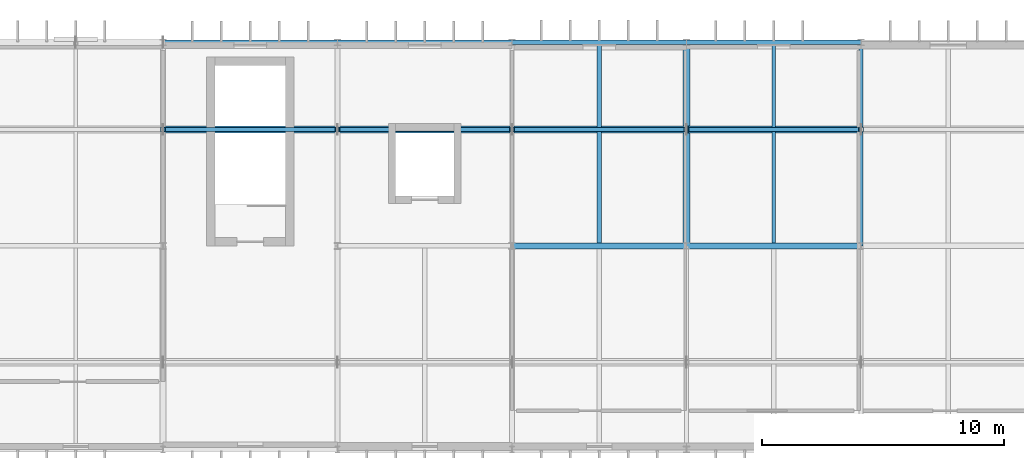
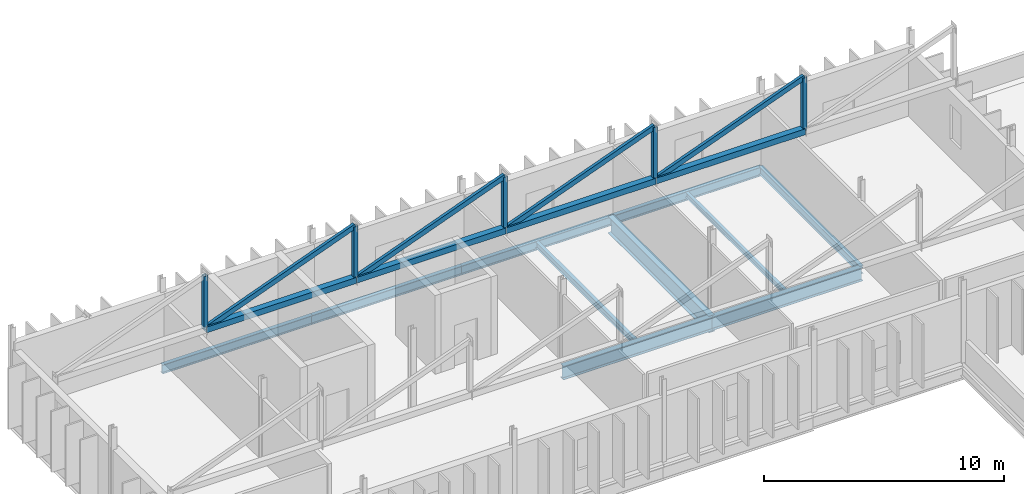
# One storey, part 25 of 52: 13 members, 10 beams.
"""IFC4 building model written with IfcOpenShell, lengths in metres."""

from ifc_helpers import new_model, si_unit, direction, frame, origin, origin_2d, place, context, subcontext, project, spatial, hollow_rectangle, i_section, extrude, material, material_profile, profile_set, type_object, element, save


model = new_model("IFC4")

# Units and contexts
model_context = context("Model", 3, precision=1e-05, world=origin(), true_north=direction((0.0, 1.0)))
body_context = subcontext(model_context, "Body", "Model", "MODEL_VIEW")
ifc_project = project(units=[si_unit("LENGTHUNIT", "METRE"), si_unit("AREAUNIT", "SQUARE_METRE"), si_unit("VOLUMEUNIT", "CUBIC_METRE"), si_unit("PLANEANGLEUNIT", "RADIAN"), si_unit("MASSUNIT", "GRAM", prefix="KILO")], contexts=[model_context])

# Site, building, storey
site_placement = place(None, origin())
site = spatial("IfcSite", under=ifc_project, at=site_placement, CompositionType="ELEMENT")
building_placement = place(site_placement, origin())
building = spatial("IfcBuilding", under=site, at=building_placement, Name="Qelthora Terrace Specialist Clinic", CompositionType="ELEMENT")
storey_placement = place(building_placement, frame((0.0, 0.0, 17.39990234375)))
storey = spatial("IfcBuildingStorey", under=building, at=storey_placement, Name="L04", CompositionType="ELEMENT", Elevation=17.39990234375)

# Beams
ifc_material = material(Name="Steel S355", Category="steel")
ifc_material_profile_1 = material_profile(ifc_material, i_section(OverallWidth=0.178955078125, OverallDepth=0.409912109375, WebThickness=0.0087890625, FlangeThickness=0.014404296875, FilletRadius=0.011962890625, at=origin_2d()), Name="W410X67")
ifc_profile_set_1 = profile_set([ifc_material_profile_1], Name="Steel S355")
beam_type_1 = type_object("IfcBeamType", Name="BM-W410X67", PredefinedType="BEAM", material=ifc_profile_set_1)
beam_1_placement = place(storey_placement, frame((93.60009765625, 100.800048828125, -0.454833984375), z_axis=(0.0, 1.0, 0.0), x_axis=(-1.0, 0.0, 0.0)))
element("IfcBeam", 1, at=beam_1_placement, inside=storey, type_object=beam_type_1, Name="Girder BMY-L04-1260", PredefinedType="BEAM", context=body_context, shape_type="SweptSolid", body=[
    extrude(i_section(OverallWidth=0.178955078125, OverallDepth=0.409912109375, WebThickness=0.0087890625, FlangeThickness=0.014404296875, FilletRadius=0.011962890625, at=origin_2d()), origin(), (0.0, 0.0, 1.0), 8.39990234375),
])
ifc_material_profile_2 = material_profile(ifc_material, i_section(OverallWidth=0.25390625, OverallDepth=0.68798828125, WebThickness=0.01318359375, FlangeThickness=0.02099609375, FilletRadius=0.01806640625, at=origin_2d()), Name="W690X152")
ifc_profile_set_2 = profile_set([ifc_material_profile_2], Name="Steel S355")
beam_type_2 = type_object("IfcBeamType", Name="BM-W690X152", PredefinedType="BEAM", material=ifc_profile_set_2)
beam_2_placement = place(storey_placement, frame((86.39990234375, 100.800048828125, -0.593994140625), z_axis=(1.0, 0.0, 0.0), x_axis=(0.0, 1.0, 0.0)))
element("IfcBeam", 2, at=beam_2_placement, inside=storey, type_object=beam_type_2, Name="Girder BMX-L04-1192", PredefinedType="BEAM", context=body_context, shape_type="SweptSolid", body=[
    extrude(i_section(OverallWidth=0.25390625, OverallDepth=0.68798828125, WebThickness=0.01318359375, FlangeThickness=0.02099609375, FilletRadius=0.01806640625, at=origin_2d()), origin(), (0.0, 0.0, 1.0), 7.2001953125),
])
ifc_material_profile_3 = material_profile(ifc_material, i_section(OverallWidth=0.256103515625, OverallDepth=0.693115234375, WebThickness=0.014404296875, FlangeThickness=0.023681640625, FilletRadius=0.01806640625, at=origin_2d()), Name="W690X170")
ifc_profile_set_3 = profile_set([ifc_material_profile_3], Name="Steel S355")
beam_type_3 = type_object("IfcBeamType", Name="BM-W690X170", PredefinedType="BEAM", material=ifc_profile_set_3)
beam_3_placement = place(storey_placement, frame((79.199951171875, 100.800048828125, -0.596435546875), z_axis=(1.0, 0.0, 0.0), x_axis=(0.0, 1.0, 0.0)))
element("IfcBeam", 3, at=beam_3_placement, inside=storey, type_object=beam_type_3, Name="Girder BMX-L04-1191", PredefinedType="BEAM", context=body_context, shape_type="SweptSolid", body=[
    extrude(i_section(OverallWidth=0.256103515625, OverallDepth=0.693115234375, WebThickness=0.014404296875, FlangeThickness=0.023681640625, FilletRadius=0.01806640625, at=origin_2d()), origin(), (0.0, 0.0, 1.0), 7.199951171875),
])
ifc_material_profile_4 = material_profile(ifc_material, i_section(OverallWidth=0.2939453125, OverallDepth=0.85107421875, WebThickness=0.01611328125, FlangeThickness=0.02685546875, FilletRadius=0.02001953125, at=origin_2d()), Name="W840X226")
ifc_profile_set_4 = profile_set([ifc_material_profile_4], Name="Steel S355")
beam_type_4 = type_object("IfcBeamType", Name="BM-W840X226", PredefinedType="BEAM", material=ifc_profile_set_4)
beam_4_placement = place(storey_placement, frame((86.39990234375, 100.800048828125, -0.67529296875), z_axis=(0.0, 1.0, 0.0), x_axis=(-1.0, 0.0, 0.0)))
element("IfcBeam", 4, at=beam_4_placement, inside=storey, type_object=beam_type_4, Name="Girder BMY-L04-1251", PredefinedType="BEAM", context=body_context, shape_type="SweptSolid", body=[
    extrude(i_section(OverallWidth=0.2939453125, OverallDepth=0.85107421875, WebThickness=0.01611328125, FlangeThickness=0.02685546875, FilletRadius=0.02001953125, at=origin_2d()), origin(), (0.0, 0.0, 1.0), 8.39990234375),
])
ifc_material_profile_5 = material_profile(ifc_material, i_section(OverallWidth=0.14697265625, OverallDepth=0.261962890625, WebThickness=0.006591796875, FlangeThickness=0.01123046875, FilletRadius=0.009033203125, at=origin_2d()), Name="W250X39")
ifc_profile_set_5 = profile_set([ifc_material_profile_5], Name="Steel S355")
beam_type_5 = type_object("IfcBeamType", Name="JST-W250X39", PredefinedType="JOIST", material=ifc_profile_set_5)
beam_5_placement = place(storey_placement, frame((90.0, 100.927001953125, -0.380859375), z_axis=(0.0, 1.0, 0.0), x_axis=(-1.0, 0.0, 0.0)))
element("IfcBeam", 5, at=beam_5_placement, inside=storey, type_object=beam_type_5, Name="Composite floor joist JST-L04-0281", PredefinedType="JOIST", context=body_context, shape_type="SweptSolid", body=[
    extrude(i_section(OverallWidth=0.14697265625, OverallDepth=0.261962890625, WebThickness=0.006591796875, FlangeThickness=0.01123046875, FilletRadius=0.009033203125, at=origin_2d()), origin(), (0.0, 0.0, 1.0), 8.177490234375),
])
ifc_material_profile_6 = material_profile(ifc_material, i_section(OverallWidth=0.1669921875, OverallDepth=0.31689453125, WebThickness=0.007568359375, FlangeThickness=0.01318359375, FilletRadius=0.010009765625, at=origin_2d()), Name="W310X52")
ifc_profile_set_6 = profile_set([ifc_material_profile_6], Name="Steel S355")
beam_type_6 = type_object("IfcBeamType", Name="JST-W310X52", PredefinedType="JOIST", material=ifc_profile_set_6)
beam_6_placement = place(storey_placement, frame((82.800048828125, 100.927978515625, -0.408447265625), z_axis=(0.0, 1.0, 0.0), x_axis=(-1.0, 0.0, 0.0)))
element("IfcBeam", 6, at=beam_6_placement, inside=storey, type_object=beam_type_6, Name="Composite floor joist JST-L04-0279", PredefinedType="JOIST", context=body_context, shape_type="SweptSolid", body=[
    extrude(i_section(OverallWidth=0.1669921875, OverallDepth=0.31689453125, WebThickness=0.007568359375, FlangeThickness=0.01318359375, FilletRadius=0.010009765625, at=origin_2d()), origin(), (0.0, 0.0, 1.0), 8.176513671875),
])

# Members
ifc_material_profile_7 = material_profile(ifc_material, hollow_rectangle(XDim=0.199951171875, YDim=0.199951171875, WallThickness=0.010009765625, at=origin_2d()), Name="HSS200X200X10")
ifc_profile_set_7 = profile_set([ifc_material_profile_7], Name="Steel S355")
member_type_1 = type_object("IfcMemberType", Name="MEM-BRACE-HSS200", PredefinedType="BRACE", material=ifc_profile_set_7)
for number, where, z_axis, x_axis, name in (
    (7, (64.800048828125, 105.60009765625, 3.75), (0.0, 0.0, 1.0), (1.0, 0.0, 0.0), "Sawtooth clerestory post 1B"),
    (8, (72.0, 105.60009765625, 3.75), (0.0, 0.0, 1.0), (1.0, 0.0, 0.0), "Sawtooth clerestory post 2B"),
    (9, (79.199951171875, 105.60009765625, 3.75), (0.0, 0.0, 1.0), (1.0, 0.0, 0.0), "Sawtooth clerestory post 3B"),
    (10, (86.39990234375, 105.60009765625, 3.75), (0.0, 0.0, 1.0), (1.0, 0.0, 0.0), "Sawtooth clerestory post 4B"),
    (11, (93.60009765625, 105.60009765625, 3.75), (0.0, 0.0, 1.0), (1.0, 0.0, 0.0), "Sawtooth clerestory post 5B"),
):
    element("IfcMember", number, at=place(storey_placement, frame(where, z_axis=z_axis, x_axis=x_axis)), inside=storey, type_object=member_type_1, Name=name, PredefinedType="BRACE", context=body_context, shape_type="SweptSolid", body=[
        extrude(hollow_rectangle(XDim=0.199951171875, YDim=0.199951171875, WallThickness=0.010009765625, at=origin_2d()), origin(), (0.0, 0.0, 1.0), 2.710205078125),
    ])
ifc_material_profile_8 = material_profile(ifc_material, hollow_rectangle(XDim=0.300048828125, YDim=0.300048828125, WallThickness=0.011962890625, at=origin_2d()), Name="HSS300X300X12")
ifc_profile_set_8 = profile_set([ifc_material_profile_8], Name="Steel S355")
member_type_2 = type_object("IfcMemberType", Name="MEM-CHORD-HSS300", PredefinedType="CHORD", material=ifc_profile_set_8)
for number, where, z_axis, x_axis, name in (
    (12, (64.800048828125, 105.60009765625, 3.75), (1.0, 0.0, 0.0), (0.0, 1.0, 0.0), "Sawtooth bottom tie chord 2B"),
    (13, (72.0, 105.60009765625, 3.75), (1.0, 0.0, 0.0), (0.0, 1.0, 0.0), "Sawtooth bottom tie chord 3B"),
    (14, (79.199951171875, 105.60009765625, 3.75), (1.0, 0.0, 0.0), (0.0, 1.0, 0.0), "Sawtooth bottom tie chord 4B"),
):
    element("IfcMember", number, at=place(storey_placement, frame(where, z_axis=z_axis, x_axis=x_axis)), inside=storey, type_object=member_type_2, Name=name, PredefinedType="CHORD", context=body_context, shape_type="SweptSolid", body=[
        extrude(hollow_rectangle(XDim=0.300048828125, YDim=0.300048828125, WallThickness=0.011962890625, at=origin_2d()), origin(), (0.0, 0.0, 1.0), 7.199951171875),
    ])
member_1_placement = place(storey_placement, frame((86.39990234375, 105.60009765625, 3.75), z_axis=(1.0, 0.0, 0.0), x_axis=(0.0, 1.0, 0.0)))
element("IfcMember", 15, at=member_1_placement, inside=storey, type_object=member_type_2, Name="Sawtooth bottom tie chord 5B", PredefinedType="CHORD", context=body_context, shape_type="SweptSolid", body=[
    extrude(hollow_rectangle(XDim=0.300048828125, YDim=0.300048828125, WallThickness=0.011962890625, at=origin_2d()), origin(), (0.0, 0.0, 1.0), 7.2001953125),
])
ifc_material_profile_9 = material_profile(ifc_material, hollow_rectangle(XDim=0.14990234375, YDim=0.25, WallThickness=0.010009765625, at=origin_2d()), Name="HSS250X150X10")
ifc_profile_set_9 = profile_set([ifc_material_profile_9], Name="Steel S355")
member_type_3 = type_object("IfcMemberType", Name="MEM-RAFTER-HSS250", PredefinedType="RAFTER", material=ifc_profile_set_9)
for number, where, z_axis, x_axis, name in (
    (16, (64.800048828125, 105.60009765625, 3.75), (0.935891555567, 0.0, 0.352288228895), (0.0, 1.0, 0.0), "Sawtooth steel rafter 2B"),
    (17, (72.0, 105.60009765625, 3.75), (0.935891555567, 0.0, 0.352288228895), (0.0, 1.0, 0.0), "Sawtooth steel rafter 3B"),
    (18, (79.199951171875, 105.60009765625, 3.75), (0.935891555567, 0.0, 0.352288228895), (0.0, 1.0, 0.0), "Sawtooth steel rafter 4B"),
):
    element("IfcMember", number, at=place(storey_placement, frame(where, z_axis=z_axis, x_axis=x_axis)), inside=storey, type_object=member_type_3, Name=name, PredefinedType="RAFTER", context=body_context, shape_type="SweptSolid", body=[
        extrude(hollow_rectangle(XDim=0.14990234375, YDim=0.25, WallThickness=0.010009765625, at=origin_2d()), origin(), (0.0, 0.0, 1.0), 7.693115234375),
    ])
member_2_placement = place(storey_placement, frame((86.39990234375, 105.60009765625, 3.75), z_axis=(0.935895493905, 0.0, 0.352277766101), x_axis=(0.0, 1.0, 0.0)))
element("IfcMember", 19, at=member_2_placement, inside=storey, type_object=member_type_3, Name="Sawtooth steel rafter 5B", PredefinedType="RAFTER", context=body_context, shape_type="SweptSolid", body=[
    extrude(hollow_rectangle(XDim=0.14990234375, YDim=0.25, WallThickness=0.010009765625, at=origin_2d()), origin(), (0.0, 0.0, 1.0), 7.693359375),
])

# Beams
ifc_material_profile_10 = material_profile(ifc_material, i_section(OverallWidth=0.19091796875, OverallDepth=0.4599609375, WebThickness=0.010009765625, FlangeThickness=0.01611328125, FilletRadius=0.012939453125, at=origin_2d()), Name="W460X82")
ifc_profile_set_10 = profile_set([ifc_material_profile_10], Name="Steel S355")
beam_type_7 = type_object("IfcBeamType", Name="SPD-W460X82", PredefinedType="SPANDREL", material=ifc_profile_set_10)
for number, where, z_axis, x_axis, name in (
    (20, (64.800048828125, 109.199951171875, -0.47998046875), (1.0, 0.0, 0.0), (0.0, 1.0, 0.0), "Girder BMX-L04-1202"),
    (21, (72.0, 109.199951171875, -0.47998046875), (1.0, 0.0, 0.0), (0.0, 1.0, 0.0), "Girder BMX-L04-1203"),
    (22, (79.199951171875, 109.199951171875, -0.47998046875), (1.0, 0.0, 0.0), (0.0, 1.0, 0.0), "Girder BMX-L04-1204"),
):
    element("IfcBeam", number, at=place(storey_placement, frame(where, z_axis=z_axis, x_axis=x_axis)), inside=storey, type_object=beam_type_7, Name=name, PredefinedType="SPANDREL", context=body_context, shape_type="SweptSolid", body=[
        extrude(i_section(OverallWidth=0.19091796875, OverallDepth=0.4599609375, WebThickness=0.010009765625, FlangeThickness=0.01611328125, FilletRadius=0.012939453125, at=origin_2d()), origin(), (0.0, 0.0, 1.0), 7.199951171875),
    ])
beam_7_placement = place(storey_placement, frame((86.39990234375, 109.199951171875, -0.47998046875), z_axis=(1.0, 0.0, 0.0), x_axis=(0.0, 1.0, 0.0)))
element("IfcBeam", 23, at=beam_7_placement, inside=storey, type_object=beam_type_7, Name="Girder BMX-L04-1205", PredefinedType="SPANDREL", context=body_context, shape_type="SweptSolid", body=[
    extrude(i_section(OverallWidth=0.19091796875, OverallDepth=0.4599609375, WebThickness=0.010009765625, FlangeThickness=0.01611328125, FilletRadius=0.012939453125, at=origin_2d()), origin(), (0.0, 0.0, 1.0), 7.2001953125),
])

save(model, "model.ifc")
